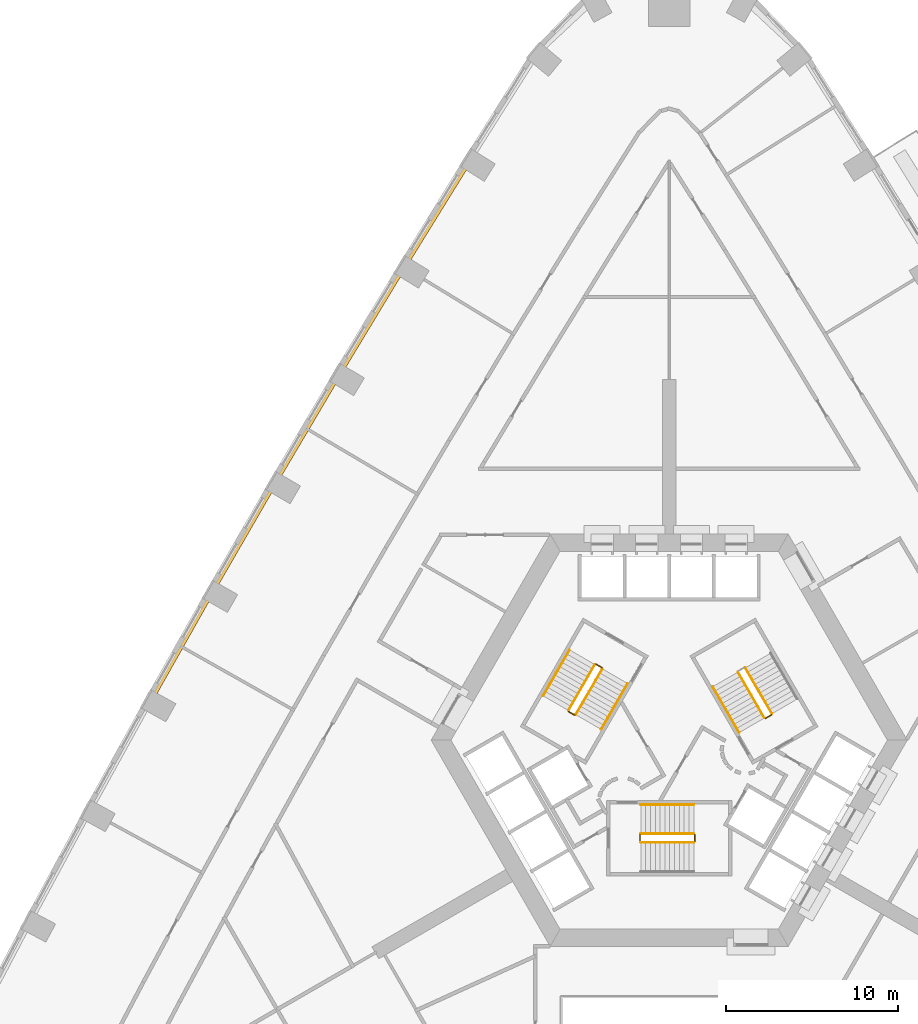
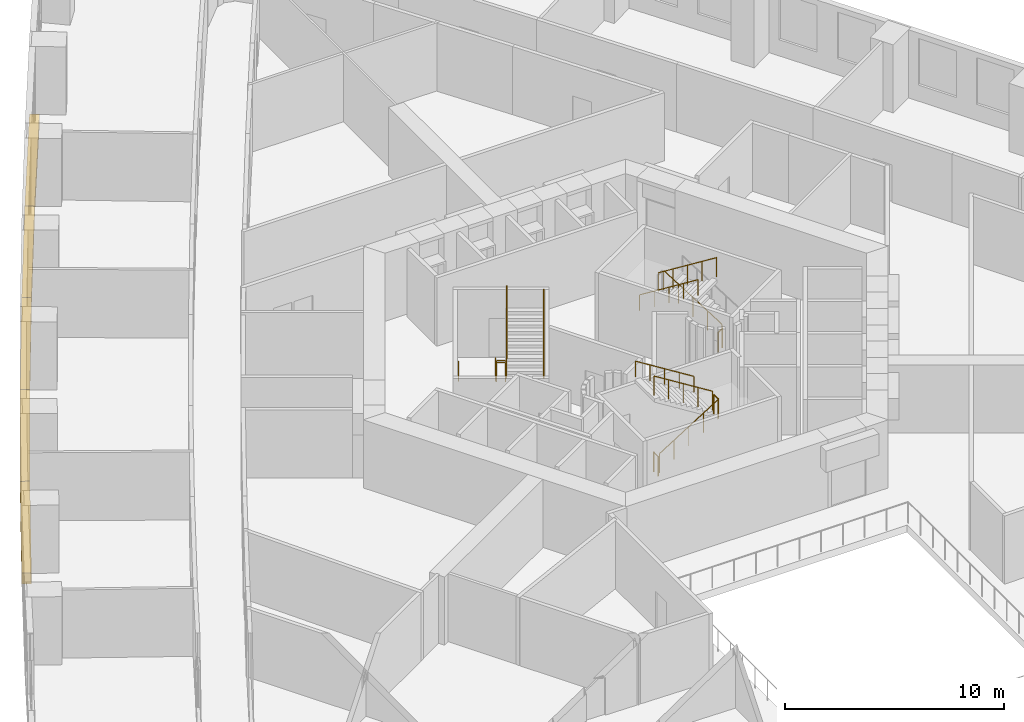
# One storey, part 14 of 16: 15 railings, 5 coverings.
"""IFC4 building model written with IfcOpenShell, lengths in metres."""

from ifc_helpers import new_model, si_unit, direction, frame, origin, origin_2d, place, context, subcontext, project, spatial, polyline, circle, outline, extrude, material, type_object, element, save


model = new_model("IFC4")

# Units and contexts
model_context = context("Model", 3, precision=1e-05, world=origin(), true_north=direction((0.0, 1.0)))
body_context = subcontext(model_context, "Body", "Model", "MODEL_VIEW")
ifc_project = project(units=[si_unit("LENGTHUNIT", "METRE"), si_unit("AREAUNIT", "SQUARE_METRE"), si_unit("VOLUMEUNIT", "CUBIC_METRE"), si_unit("PLANEANGLEUNIT", "RADIAN"), si_unit("MASSUNIT", "GRAM", prefix="KILO")], contexts=[model_context])

# Site, building, storey
site_placement = place(None, origin())
site = spatial("IfcSite", under=ifc_project, at=site_placement, CompositionType="ELEMENT")
building_placement = place(site_placement, origin())
building = spatial("IfcBuilding", under=site, at=building_placement, Name="Entoto Arch Interchange Tower", CompositionType="ELEMENT")
storey_placement = place(building_placement, frame((0.0, 0.0, 47.60009765625)))
storey = spatial("IfcBuildingStorey", under=building, at=storey_placement, Name="L09", CompositionType="ELEMENT", Elevation=47.60009765625)

# Coverings
ifc_material_1 = material(Name="Board-marked precast concrete C50/60", Category="concrete")
covering_type = type_object("IfcCoveringType", Name="PRECAST LEDGE COURSE", PredefinedType="CLADDING", material=ifc_material_1)
covering_1_placement = place(storey_placement, frame((0.0, 0.0, -1.0)))
element("IfcCovering", 1, at=covering_1_placement, inside=storey, type_object=covering_type, Name="Precast course NW-02 L09", PredefinedType="CLADDING", context=body_context, shape_type="SweptSolid", body=[
    extrude(outline(polyline([(-15.339111328125, 29.972900390625), (-15.72900390625, 30.2119140625), (-11.885986328125, 36.44189453125), (-11.491943359375, 36.196044921875), (-15.339111328125, 29.972900390625)])), origin(), (0.0, 0.0, 1.0), 0.599853515625),
])
covering_2_placement = place(storey_placement, frame((0.0, 0.0, -1.0)))
element("IfcCovering", 2, at=covering_2_placement, inside=storey, type_object=covering_type, Name="Precast course NW-03 L09", PredefinedType="CLADDING", context=body_context, shape_type="SweptSolid", body=[
    extrude(outline(polyline([(-19.123046875, 23.7119140625), (-19.511962890625, 23.944091796875), (-15.72900390625, 30.2119140625), (-15.339111328125, 29.972900390625), (-19.123046875, 23.7119140625)])), origin(), (0.0, 0.0, 1.0), 0.599853515625),
])
covering_3_placement = place(storey_placement, frame((0.0, 0.0, -1.0)))
element("IfcCovering", 3, at=covering_3_placement, inside=storey, type_object=covering_type, Name="Precast course NW-04 L09", PredefinedType="CLADDING", context=body_context, shape_type="SweptSolid", body=[
    extrude(outline(polyline([(-22.844970703125, 17.4130859375), (-23.23388671875, 17.639892578125), (-19.511962890625, 23.944091796875), (-19.123046875, 23.7119140625), (-22.844970703125, 17.4130859375)])), origin(), (0.0, 0.0, 1.0), 0.599853515625),
])
covering_4_placement = place(storey_placement, frame((0.0, 0.0, -1.0)))
element("IfcCovering", 4, at=covering_4_placement, inside=storey, type_object=covering_type, Name="Precast course NW-05 L09", PredefinedType="CLADDING", context=body_context, shape_type="SweptSolid", body=[
    extrude(outline(polyline([(-26.5029296875, 11.077880859375), (-26.89404296875, 11.301025390625), (-23.23388671875, 17.639892578125), (-22.844970703125, 17.4130859375), (-26.5029296875, 11.077880859375)])), origin(), (0.0, 0.0, 1.0), 0.599853515625),
])
covering_5_placement = place(storey_placement, frame((0.0, 0.0, -1.0)))
element("IfcCovering", 5, at=covering_5_placement, inside=storey, type_object=covering_type, Name="Precast course NW-06 L09", PredefinedType="CLADDING", context=body_context, shape_type="SweptSolid", body=[
    extrude(outline(polyline([(-30.096923828125, 4.705078125), (-30.491943359375, 4.925048828125), (-26.89404296875, 11.301025390625), (-26.5029296875, 11.077880859375), (-30.096923828125, 4.705078125)])), origin(), (0.0, 0.0, 1.0), 0.599853515625),
])

# Railings
ifc_material_2 = material(Name="Stainless steel 1.4301", Category="steel")
railing_type_1 = type_object("IfcRailingType", Name="STAIR GUARD 1100 STEEL", PredefinedType="GUARDRAIL", material=ifc_material_2)
railing_1_placement = place(storey_placement, frame((-1.64990234375, -3.449951171875, 0.1748046875)))
element("IfcRailing", 6, at=railing_1_placement, inside=storey, type_object=railing_type_1, Name="L09 ST-S stair guard 1", PredefinedType="GUARDRAIL", context=body_context, shape_type="SweptSolid", body=[
    extrude(circle(Radius=0.02392578125, at=origin_2d()), frame((0.0, 0.0, 1.076171875), z_axis=(0.847979421464, 0.0, 0.530029150871), x_axis=(0.0, 1.0, 0.0)), (0.0, 0.0, 1.0), 3.632080078125),
    extrude(circle(Radius=0.02099609375, at=origin_2d()), origin(), (0.0, 0.0, 1.0), 1.052001953125),
    extrude(circle(Radius=0.02099609375, at=origin_2d()), frame((0.77001953125, 0.0, 0.481201171875)), (0.0, 0.0, 1.0), 1.052001953125),
    extrude(circle(Radius=0.02099609375, at=origin_2d()), frame((1.5400390625, 0.0, 0.96240234375)), (0.0, 0.0, 1.0), 1.052001953125),
    extrude(circle(Radius=0.02099609375, at=origin_2d()), frame((2.309814453125, 0.0, 1.44384765625)), (0.0, 0.0, 1.0), 1.052001953125),
    extrude(circle(Radius=0.02099609375, at=origin_2d()), frame((3.079833984375, 0.0, 1.925048828125)), (0.0, 0.0, 1.0), 1.052001953125),
])
railing_2_placement = place(storey_placement, frame((1.47998046875, -3.39990234375, 2.099853515625)))
element("IfcRailing", 7, at=railing_2_placement, inside=storey, type_object=railing_type_1, Name="L09 ST-S stair guard 2", PredefinedType="GUARDRAIL", context=body_context, shape_type="SweptSolid", body=[
    extrude(circle(Radius=0.02392578125, at=origin_2d()), frame((0.0, 0.0, 1.076171875), z_axis=(0.0, 1.0, 0.0), x_axis=(-1.0, 0.0, 0.0)), (0.0, 0.0, 1.0), 0.39990234375),
    extrude(circle(Radius=0.02099609375, at=origin_2d()), origin(), (0.0, 0.0, 1.0), 1.052001953125),
    extrude(circle(Radius=0.02099609375, at=origin_2d()), frame((0.0, 0.39990234375, 0.0)), (0.0, 0.0, 1.0), 1.052001953125),
])
railing_3_placement = place(storey_placement, frame((1.429931640625, -2.949951171875, 2.27490234375)))
element("IfcRailing", 8, at=railing_3_placement, inside=storey, type_object=railing_type_1, Name="L09 ST-S stair guard 3", PredefinedType="GUARDRAIL", context=body_context, shape_type="SweptSolid", body=[
    extrude(circle(Radius=0.02392578125, at=origin_2d()), frame((0.0, 0.0, 1.076171875), z_axis=(-0.847979421464, 0.0, 0.530029150871), x_axis=(0.0, -1.0, 0.0)), (0.0, 0.0, 1.0), 3.632080078125),
    extrude(circle(Radius=0.02099609375, at=origin_2d()), origin(), (0.0, 0.0, 1.0), 1.052001953125),
    extrude(circle(Radius=0.02099609375, at=origin_2d()), frame((-0.77001953125, 0.0, 0.481201171875)), (0.0, 0.0, 1.0), 1.052001953125),
    extrude(circle(Radius=0.02099609375, at=origin_2d()), frame((-1.5400390625, 0.0, 0.96240234375)), (0.0, 0.0, 1.0), 1.052001953125),
    extrude(circle(Radius=0.02099609375, at=origin_2d()), frame((-2.309814453125, 0.0, 1.44384765625)), (0.0, 0.0, 1.0), 1.052001953125),
    extrude(circle(Radius=0.02099609375, at=origin_2d()), frame((-3.079833984375, 0.0, 1.925048828125)), (0.0, 0.0, 1.0), 1.052001953125),
])
railing_4_placement = place(storey_placement, frame((-1.699951171875, -3.39990234375, 0.0)))
element("IfcRailing", 9, at=railing_4_placement, inside=storey, type_object=railing_type_1, Name="L09 ST-S stair guard 4", PredefinedType="GUARDRAIL", context=body_context, shape_type="SweptSolid", body=[
    extrude(circle(Radius=0.02392578125, at=origin_2d()), frame((0.0, 0.0, 1.076171875), z_axis=(0.0, 1.0, 0.0), x_axis=(-1.0, 0.0, 0.0)), (0.0, 0.0, 1.0), 0.39990234375),
    extrude(circle(Radius=0.02099609375, at=origin_2d()), origin(), (0.0, 0.0, 1.0), 1.052001953125),
    extrude(circle(Radius=0.02099609375, at=origin_2d()), frame((0.0, 0.39990234375, 0.0)), (0.0, 0.0, 1.0), 1.052001953125),
])
railing_5_placement = place(storey_placement, frame((5.977783203125, 4.046142578125, 0.1748046875)))
element("IfcRailing", 10, at=railing_5_placement, inside=storey, type_object=railing_type_1, Name="L09 ST-NE stair guard 1", PredefinedType="GUARDRAIL", context=body_context, shape_type="SweptSolid", body=[
    extrude(circle(Radius=0.02392578125, at=origin_2d()), frame((0.0, 0.0, 1.076171875), z_axis=(-0.424015404183, 0.734364028329, 0.530019255228), x_axis=(-0.866010015463, -0.500026652407, 0.0)), (0.0, 0.0, 1.0), 3.632080078125),
    extrude(circle(Radius=0.02099609375, at=origin_2d()), origin(), (0.0, 0.0, 1.0), 1.052001953125),
    extrude(circle(Radius=0.02099609375, at=origin_2d()), frame((-0.385009765625, 0.666748046875, 0.481201171875)), (0.0, 0.0, 1.0), 1.052001953125),
    extrude(circle(Radius=0.02099609375, at=origin_2d()), frame((-0.77001953125, 1.33349609375, 0.96240234375)), (0.0, 0.0, 1.0), 1.052001953125),
    extrude(circle(Radius=0.02099609375, at=origin_2d()), frame((-1.155029296875, 2.00048828125, 1.44384765625)), (0.0, 0.0, 1.0), 1.052001953125),
    extrude(circle(Radius=0.02099609375, at=origin_2d()), frame((-1.5400390625, 2.667236328125, 1.925048828125)), (0.0, 0.0, 1.0), 1.052001953125),
])
railing_6_placement = place(storey_placement, frame((4.0048828125, 6.46337890625, 2.27490234375)))
element("IfcRailing", 11, at=railing_6_placement, inside=storey, type_object=railing_type_1, Name="L09 ST-NE stair guard 3", PredefinedType="GUARDRAIL", context=body_context, shape_type="SweptSolid", body=[
    extrude(circle(Radius=0.02392578125, at=origin_2d()), frame((0.0, 0.0, 1.076171875), z_axis=(0.424015404183, -0.734364028329, 0.530019255228), x_axis=(0.866010015463, 0.500026652407, 0.0)), (0.0, 0.0, 1.0), 3.632080078125),
    extrude(circle(Radius=0.02099609375, at=origin_2d()), origin(), (0.0, 0.0, 1.0), 1.052001953125),
    extrude(circle(Radius=0.02099609375, at=origin_2d()), frame((0.385009765625, -0.666748046875, 0.481201171875)), (0.0, 0.0, 1.0), 1.052001953125),
    extrude(circle(Radius=0.02099609375, at=origin_2d()), frame((0.77001953125, -1.33349609375, 0.96240234375)), (0.0, 0.0, 1.0), 1.052001953125),
    extrude(circle(Radius=0.02099609375, at=origin_2d()), frame((1.155029296875, -2.00048828125, 1.44384765625)), (0.0, 0.0, 1.0), 1.052001953125),
    extrude(circle(Radius=0.02099609375, at=origin_2d()), frame((1.5400390625, -2.667236328125, 1.925048828125)), (0.0, 0.0, 1.0), 1.052001953125),
])
railing_7_placement = place(storey_placement, frame((5.95947265625, 3.977783203125, 0.0)))
element("IfcRailing", 12, at=railing_7_placement, inside=storey, type_object=railing_type_1, Name="L09 ST-NE stair guard 4", PredefinedType="GUARDRAIL", context=body_context, shape_type="SweptSolid", body=[
    extrude(circle(Radius=0.02392578125, at=origin_2d()), frame((0.0, 0.0, 1.076171875), z_axis=(-0.866094119867, -0.499880961361, 0.0), x_axis=(0.499880961361, -0.866094119867, 0.0)), (0.0, 0.0, 1.0), 0.39990234375),
    extrude(circle(Radius=0.02099609375, at=origin_2d()), origin(), (0.0, 0.0, 1.0), 1.052001953125),
    extrude(circle(Radius=0.02099609375, at=origin_2d()), frame((-0.346435546875, -0.199951171875, 0.0)), (0.0, 0.0, 1.0), 1.052001953125),
])
railing_8_placement = place(storey_placement, frame((-4.327880859375, 6.904052734375, 0.1748046875)))
element("IfcRailing", 13, at=railing_8_placement, inside=storey, type_object=railing_type_1, Name="L09 ST-NW stair guard 1", PredefinedType="GUARDRAIL", context=body_context, shape_type="SweptSolid", body=[
    extrude(circle(Radius=0.02392578125, at=origin_2d()), frame((0.0, 0.0, 1.076171875), z_axis=(-0.423994474112, -0.734394994316, 0.52999309264), x_axis=(0.866029832698, -0.499992328818, 0.0)), (0.0, 0.0, 1.0), 3.63232421875),
    extrude(circle(Radius=0.02099609375, at=origin_2d()), origin(), (0.0, 0.0, 1.0), 1.052001953125),
    extrude(circle(Radius=0.02099609375, at=origin_2d()), frame((-0.385009765625, -0.6669921875, 0.481201171875)), (0.0, 0.0, 1.0), 1.052001953125),
    extrude(circle(Radius=0.02099609375, at=origin_2d()), frame((-0.77001953125, -1.333740234375, 0.96240234375)), (0.0, 0.0, 1.0), 1.052001953125),
    extrude(circle(Radius=0.02099609375, at=origin_2d()), frame((-1.155029296875, -2.00048828125, 1.44384765625)), (0.0, 0.0, 1.0), 1.052001953125),
    extrude(circle(Radius=0.02099609375, at=origin_2d()), frame((-1.5400390625, -2.66748046875, 1.925048828125)), (0.0, 0.0, 1.0), 1.052001953125),
])
railing_9_placement = place(storey_placement, frame((-5.849609375, 4.168212890625, 2.099853515625)))
element("IfcRailing", 14, at=railing_9_placement, inside=storey, type_object=railing_type_1, Name="L09 ST-NW stair guard 2", PredefinedType="GUARDRAIL", context=body_context, shape_type="SweptSolid", body=[
    extrude(circle(Radius=0.02392578125, at=origin_2d()), frame((0.0, 0.0, 1.076171875), z_axis=(0.866094119867, -0.499880961361, 0.0), x_axis=(0.499880961361, 0.866094119867, 0.0)), (0.0, 0.0, 1.0), 0.39990234375),
    extrude(circle(Radius=0.02099609375, at=origin_2d()), origin(), (0.0, 0.0, 1.0), 1.052001953125),
    extrude(circle(Radius=0.02099609375, at=origin_2d()), frame((0.346435546875, -0.199951171875, 0.0)), (0.0, 0.0, 1.0), 1.052001953125),
])
railing_10_placement = place(storey_placement, frame((-5.434814453125, 3.986572265625, 2.27490234375)))
element("IfcRailing", 15, at=railing_10_placement, inside=storey, type_object=railing_type_1, Name="L09 ST-NW stair guard 3", PredefinedType="GUARDRAIL", context=body_context, shape_type="SweptSolid", body=[
    extrude(circle(Radius=0.02392578125, at=origin_2d()), frame((0.0, 0.0, 1.076171875), z_axis=(0.423994474112, 0.734394994316, 0.52999309264), x_axis=(-0.866029832698, 0.499992328818, 0.0)), (0.0, 0.0, 1.0), 3.63232421875),
    extrude(circle(Radius=0.02099609375, at=origin_2d()), origin(), (0.0, 0.0, 1.0), 1.052001953125),
    extrude(circle(Radius=0.02099609375, at=origin_2d()), frame((0.385009765625, 0.6669921875, 0.481201171875)), (0.0, 0.0, 1.0), 1.052001953125),
    extrude(circle(Radius=0.02099609375, at=origin_2d()), frame((0.77001953125, 1.333740234375, 0.96240234375)), (0.0, 0.0, 1.0), 1.052001953125),
    extrude(circle(Radius=0.02099609375, at=origin_2d()), frame((1.155029296875, 2.00048828125, 1.44384765625)), (0.0, 0.0, 1.0), 1.052001953125),
    extrude(circle(Radius=0.02099609375, at=origin_2d()), frame((1.5400390625, 2.66748046875, 1.925048828125)), (0.0, 0.0, 1.0), 1.052001953125),
])
railing_11_placement = place(storey_placement, frame((-4.259521484375, 6.92236328125, 0.0)))
element("IfcRailing", 16, at=railing_11_placement, inside=storey, type_object=railing_type_1, Name="L09 ST-NW stair guard 4", PredefinedType="GUARDRAIL", context=body_context, shape_type="SweptSolid", body=[
    extrude(circle(Radius=0.02392578125, at=origin_2d()), frame((0.0, 0.0, 1.076171875), z_axis=(0.865829829939, -0.500338590944, 0.0), x_axis=(0.500338590944, 0.865829829939, 0.0)), (0.0, 0.0, 1.0), 0.400146484375),
    extrude(circle(Radius=0.02099609375, at=origin_2d()), origin(), (0.0, 0.0, 1.0), 1.052001953125),
    extrude(circle(Radius=0.02099609375, at=origin_2d()), frame((0.346435546875, -0.2001953125, 0.0)), (0.0, 0.0, 1.0), 1.052001953125),
])
railing_type_2 = type_object("IfcRailingType", Name="STAIR HANDRAIL 900 STEEL", PredefinedType="HANDRAIL", material=ifc_material_2)
railing_12_placement = place(storey_placement, frame((1.429931640625, -1.25, 2.27490234375)))
element("IfcRailing", 17, at=railing_12_placement, inside=storey, type_object=railing_type_2, Name="L09 ST-S stair handrail 2", PredefinedType="HANDRAIL", context=body_context, shape_type="SweptSolid", body=[
    extrude(circle(Radius=0.02392578125, at=origin_2d()), frame((0.0, 0.0, 0.8759765625), z_axis=(-0.847979421464, 0.0, 0.530029150871), x_axis=(0.0, -1.0, 0.0)), (0.0, 0.0, 1.0), 3.632080078125),
    extrude(circle(Radius=0.02099609375, at=origin_2d()), origin(), (0.0, 0.0, 1.0), 0.851806640625),
    extrude(circle(Radius=0.02099609375, at=origin_2d()), frame((-0.77001953125, 0.0, 0.481201171875)), (0.0, 0.0, 1.0), 0.851806640625),
    extrude(circle(Radius=0.02099609375, at=origin_2d()), frame((-1.5400390625, 0.0, 0.96240234375)), (0.0, 0.0, 1.0), 0.851806640625),
    extrude(circle(Radius=0.02099609375, at=origin_2d()), frame((-2.309814453125, 0.0, 1.44384765625)), (0.0, 0.0, 1.0), 0.851806640625),
    extrude(circle(Radius=0.02099609375, at=origin_2d()), frame((-3.079833984375, 0.0, 1.925048828125)), (0.0, 0.0, 1.0), 0.851806640625),
])
railing_13_placement = place(storey_placement, frame((2.53271484375, 5.613525390625, 2.27490234375)))
element("IfcRailing", 18, at=railing_13_placement, inside=storey, type_object=railing_type_2, Name="L09 ST-NE stair handrail 2", PredefinedType="HANDRAIL", context=body_context, shape_type="SweptSolid", body=[
    extrude(circle(Radius=0.02392578125, at=origin_2d()), frame((0.0, 0.0, 0.8759765625), z_axis=(0.423939339791, -0.734415923031, 0.53000819633), x_axis=(0.866064153644, 0.499932877268, 0.0)), (0.0, 0.0, 1.0), 3.632080078125),
    extrude(circle(Radius=0.02099609375, at=origin_2d()), origin(), (0.0, 0.0, 1.0), 0.851806640625),
    extrude(circle(Radius=0.02099609375, at=origin_2d()), frame((0.385009765625, -0.6669921875, 0.481201171875)), (0.0, 0.0, 1.0), 0.851806640625),
    extrude(circle(Radius=0.02099609375, at=origin_2d()), frame((0.77001953125, -1.333740234375, 0.96240234375)), (0.0, 0.0, 1.0), 0.851806640625),
    extrude(circle(Radius=0.02099609375, at=origin_2d()), frame((1.15478515625, -2.00048828125, 1.44384765625)), (0.0, 0.0, 1.0), 0.851806640625),
    extrude(circle(Radius=0.02099609375, at=origin_2d()), frame((1.539794921875, -2.66748046875, 1.925048828125)), (0.0, 0.0, 1.0), 0.851806640625),
])
railing_14_placement = place(storey_placement, frame((-5.800048828125, 7.75390625, 0.1748046875)))
element("IfcRailing", 19, at=railing_14_placement, inside=storey, type_object=railing_type_2, Name="L09 ST-NW stair handrail 1", PredefinedType="HANDRAIL", context=body_context, shape_type="SweptSolid", body=[
    extrude(circle(Radius=0.02392578125, at=origin_2d()), frame((0.0, 0.0, 0.8759765625), z_axis=(-0.424015404183, -0.734364028329, 0.530019255228), x_axis=(0.866010015463, -0.500026652407, 0.0)), (0.0, 0.0, 1.0), 3.632080078125),
    extrude(circle(Radius=0.02099609375, at=origin_2d()), origin(), (0.0, 0.0, 1.0), 0.851806640625),
    extrude(circle(Radius=0.02099609375, at=origin_2d()), frame((-0.385009765625, -0.666748046875, 0.481201171875)), (0.0, 0.0, 1.0), 0.851806640625),
    extrude(circle(Radius=0.02099609375, at=origin_2d()), frame((-0.77001953125, -1.33349609375, 0.96240234375)), (0.0, 0.0, 1.0), 0.851806640625),
    extrude(circle(Radius=0.02099609375, at=origin_2d()), frame((-1.155029296875, -2.00048828125, 1.44384765625)), (0.0, 0.0, 1.0), 0.851806640625),
    extrude(circle(Radius=0.02099609375, at=origin_2d()), frame((-1.5400390625, -2.667236328125, 1.925048828125)), (0.0, 0.0, 1.0), 0.851806640625),
])
railing_15_placement = place(storey_placement, frame((-3.962646484375, 3.136474609375, 2.27490234375)))
element("IfcRailing", 20, at=railing_15_placement, inside=storey, type_object=railing_type_2, Name="L09 ST-NW stair handrail 2", PredefinedType="HANDRAIL", context=body_context, shape_type="SweptSolid", body=[
    extrude(circle(Radius=0.02392578125, at=origin_2d()), frame((0.0, 0.0, 0.8759765625), z_axis=(0.423994474112, 0.734394994316, 0.52999309264), x_axis=(-0.866029832698, 0.499992328818, 0.0)), (0.0, 0.0, 1.0), 3.63232421875),
    extrude(circle(Radius=0.02099609375, at=origin_2d()), origin(), (0.0, 0.0, 1.0), 0.851806640625),
    extrude(circle(Radius=0.02099609375, at=origin_2d()), frame((0.385009765625, 0.6669921875, 0.481201171875)), (0.0, 0.0, 1.0), 0.851806640625),
    extrude(circle(Radius=0.02099609375, at=origin_2d()), frame((0.77001953125, 1.333740234375, 0.96240234375)), (0.0, 0.0, 1.0), 0.851806640625),
    extrude(circle(Radius=0.02099609375, at=origin_2d()), frame((1.155029296875, 2.00048828125, 1.44384765625)), (0.0, 0.0, 1.0), 0.851806640625),
    extrude(circle(Radius=0.02099609375, at=origin_2d()), frame((1.5400390625, 2.66748046875, 1.925048828125)), (0.0, 0.0, 1.0), 0.851806640625),
])

save(model, "model.ifc")
